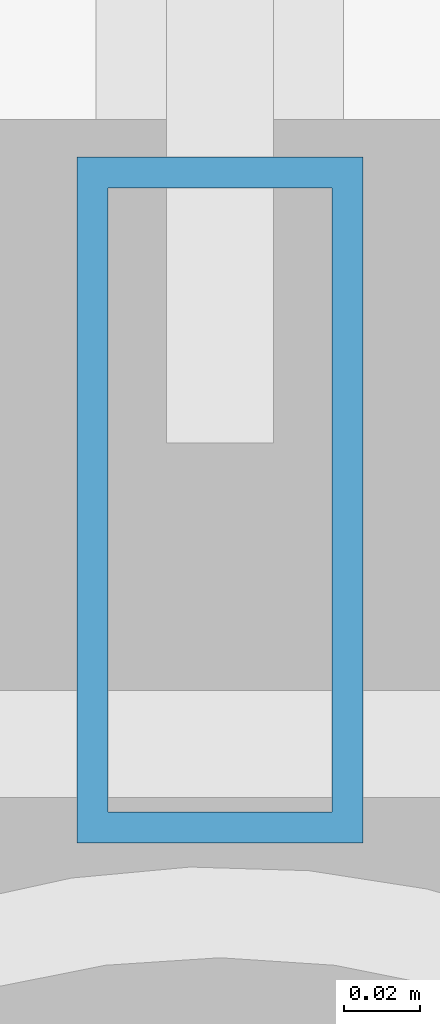
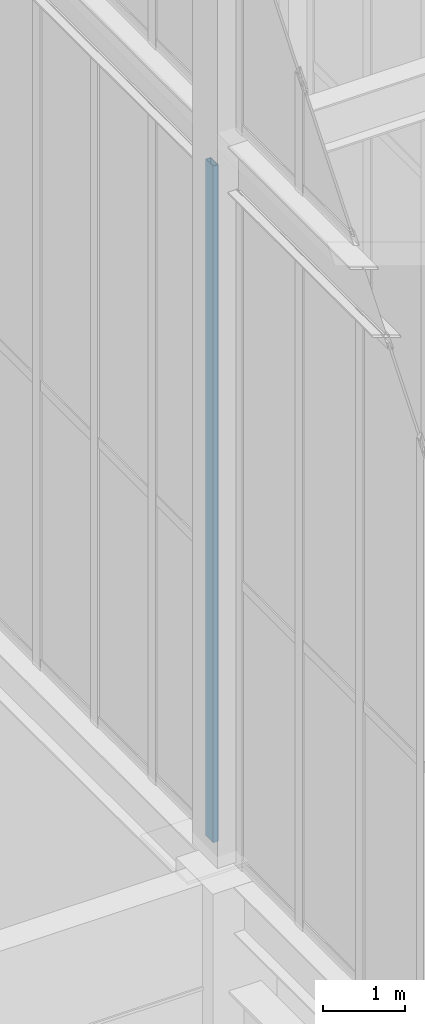
# One storey, part 76 of 135: 1 member, 1 element without a shape of its own.
"""IFC4 building model written with IfcOpenShell, lengths in metres."""

from ifc_helpers import new_model, si_unit, direction, frame, origin, origin_2d, place, context, subcontext, project, spatial, hollow_rectangle, extrude, source, transform, mapped, material, layer, layer_set, material_profile, profile_set, type_object, element, aggregate, save


model = new_model("IFC4")

# Units and contexts
model_context = context("Model", 3, precision=1e-05, world=origin(), true_north=direction((0.0, 1.0)))
body_context = subcontext(model_context, "Body", "Model", "MODEL_VIEW")
ifc_project = project(units=[si_unit("LENGTHUNIT", "METRE"), si_unit("AREAUNIT", "SQUARE_METRE"), si_unit("VOLUMEUNIT", "CUBIC_METRE"), si_unit("PLANEANGLEUNIT", "RADIAN"), si_unit("MASSUNIT", "GRAM", prefix="KILO")], contexts=[model_context])

# Site, building, storey
site_placement = place(None, origin())
site = spatial("IfcSite", under=ifc_project, at=site_placement, CompositionType="ELEMENT")
building_placement = place(site_placement, origin())
building = spatial("IfcBuilding", under=site, at=building_placement, Name="Giltprow Tower", CompositionType="ELEMENT")
storey_placement = place(building_placement, frame((0.0, 0.0, 352.699951171875)))
storey = spatial("IfcBuildingStorey", under=building, at=storey_placement, Name="L92", CompositionType="ELEMENT", Elevation=352.699951171875)

# Curtain wall, member
ifc_material = material(Name="Anodized bronze", Category="metal")
ifc_layer = layer(ifc_material, 0.179931640625, Name="Anodized bronze")
ifc_layer_set = layer_set([ifc_layer], Name="Anodized bronze")
curtain_wall_type = type_object("IfcCurtainWallType", Name="CW-CROWN-LANTERN", PredefinedType="NOTDEFINED", material=ifc_layer_set)
curtain_wall_placement = place(storey_placement, origin())
curtain_wall = element("IfcCurtainWall", 1, at=curtain_wall_placement, inside=storey, type_object=curtain_wall_type, Name="Crown East Lower Lantern Glazing 5", PredefinedType="NOTDEFINED")
ifc_material_profile = material_profile(ifc_material, hollow_rectangle(XDim=0.074951171875, YDim=0.179931640625, WallThickness=0.008056640625, at=origin_2d()), Name="RHS 180x75x8")
ifc_profile_set = profile_set([ifc_material_profile], Name="Anodized bronze")
member_type = type_object("IfcMemberType", Name="CW-MULLION-180x75", PredefinedType="MULLION", material=ifc_profile_set)
shared_shape = source(origin(), body_context, "Body", "SweptSolid", [
    extrude(hollow_rectangle(XDim=0.074951171875, YDim=0.179931640625, WallThickness=0.008056640625, at=origin_2d()), origin(), (0.0, 0.0, 1.0), 10.030029296875),
])
member_placement = place(storey_placement, frame((44.300048828125, 37.800048828125, 6.35009765625), z_axis=(0.0, 0.0, 1.0), x_axis=(1.0, 0.0, 0.0)))
member = element("IfcMember", 2, at=member_placement, type_object=member_type, Name="Crown East Lower Lantern Glazing 5 Mullion 7", PredefinedType="MULLION", context=body_context, shape_type="MappedRepresentation", body=[
    mapped(shared_shape, transform((0.0, 0.0, 0.0), x_axis=(1.0, 0.0, 0.0), y_axis=(0.0, 1.0, 0.0), z_axis=(0.0, 0.0, 1.0), scale=1.0)),
])
aggregate(curtain_wall, [member])

save(model, "model.ifc")
